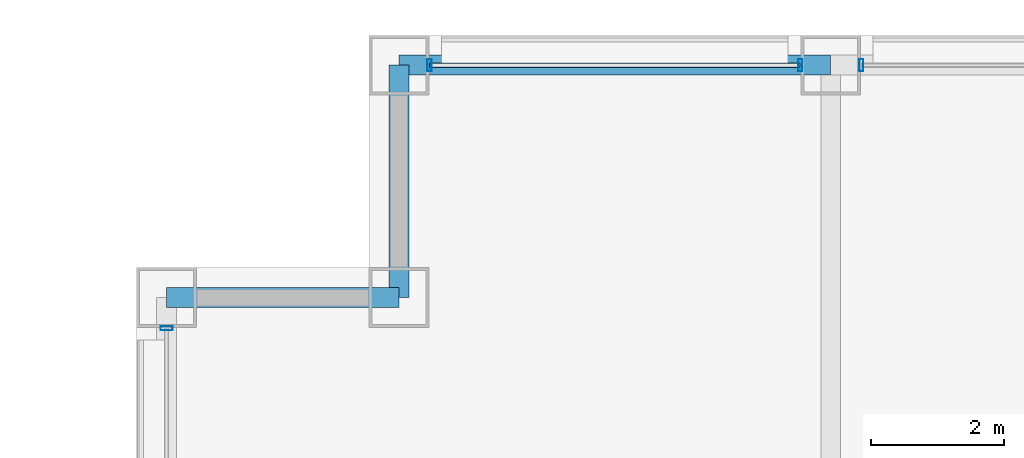
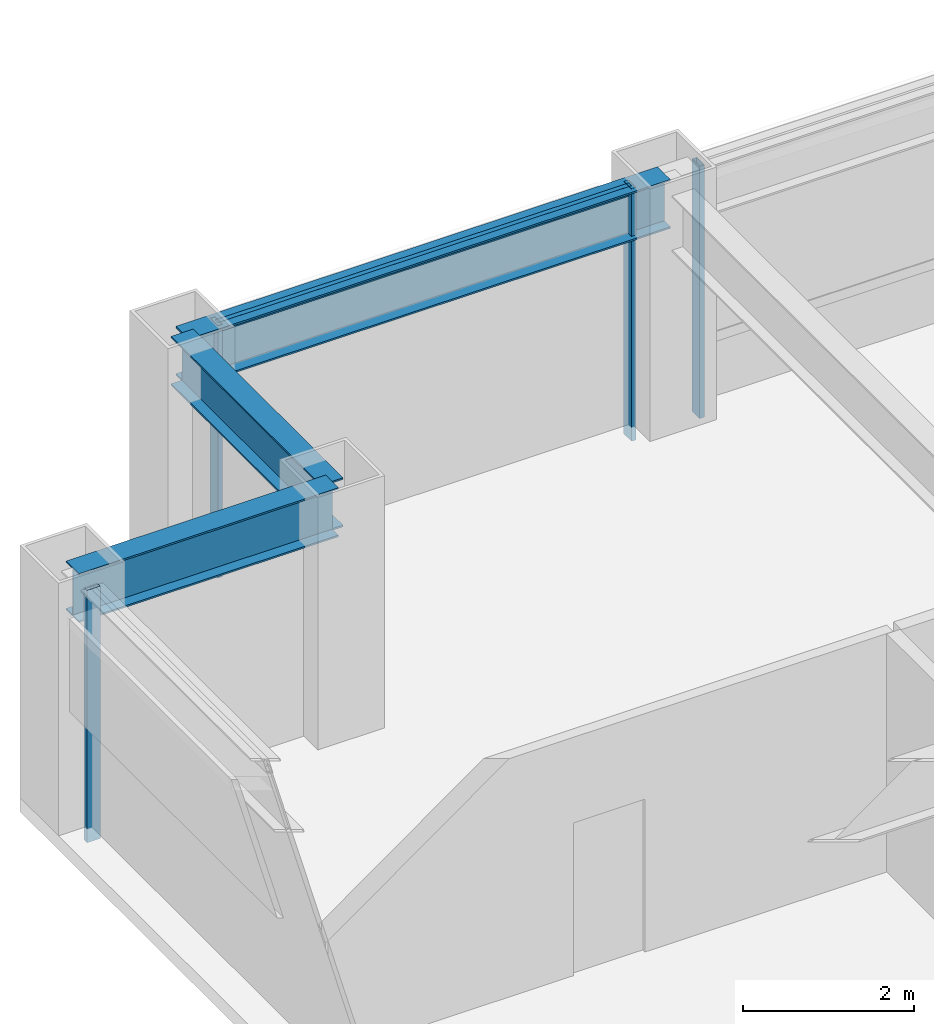
# One storey, part 15 of 29: 5 members, 3 beams, 3 elements without a shape of their own.
"""IFC4 building model written with IfcOpenShell, lengths in metres."""

from ifc_helpers import new_model, si_unit, direction, frame, origin, origin_2d, place, context, subcontext, project, spatial, hollow_rectangle, i_section, extrude, material, layer, layer_set, material_profile, profile_set, type_object, element, aggregate, save


model = new_model("IFC4")

# Units and contexts
model_context = context("Model", 3, precision=1e-05, world=origin(), true_north=direction((0.0, 1.0)))
body_context = subcontext(model_context, "Body", "Model", "MODEL_VIEW")
ifc_project = project(units=[si_unit("LENGTHUNIT", "METRE"), si_unit("AREAUNIT", "SQUARE_METRE"), si_unit("VOLUMEUNIT", "CUBIC_METRE"), si_unit("PLANEANGLEUNIT", "RADIAN"), si_unit("MASSUNIT", "GRAM", prefix="KILO")], contexts=[model_context])

# Site, building, storey
site_placement = place(None, origin())
site = spatial("IfcSite", under=ifc_project, at=site_placement, CompositionType="ELEMENT")
building_placement = place(site_placement, origin())
building = spatial("IfcBuilding", under=site, at=building_placement, Name="Brelmoor Portico Tower", CompositionType="ELEMENT")
storey_placement = place(building_placement, frame((0.0, 0.0, 63.60009765625)))
storey = spatial("IfcBuildingStorey", under=building, at=storey_placement, Name="L16", CompositionType="ELEMENT", Elevation=63.60009765625)

# Beams
ifc_material_1 = material(Name="Steel Q355B", Category="steel")
ifc_material_profile_1 = material_profile(ifc_material_1, i_section(OverallWidth=0.300048828125, OverallDepth=0.699951171875, WebThickness=0.012939453125, FlangeThickness=0.02392578125, at=origin_2d()), Name="HN 700x300x13x24")
ifc_profile_set_1 = profile_set([ifc_material_profile_1], Name="Steel Q355B")
beam_type = type_object("IfcBeamType", Name="BM-SP-700", PredefinedType="SPANDREL", material=ifc_profile_set_1)
beam_1_placement = place(storey_placement, frame((-24.550048828125, 18.050048828125, 3.0498046875), z_axis=(1.0, 0.0, 0.0), x_axis=(0.0, 1.0, 0.0)))
element("IfcBeam", 1, at=beam_1_placement, inside=storey, type_object=beam_type, Name="L16 Perimeter Spandrel Beam SP-08", PredefinedType="SPANDREL", context=body_context, shape_type="SweptSolid", body=[
    extrude(i_section(OverallWidth=0.300048828125, OverallDepth=0.699951171875, WebThickness=0.012939453125, FlangeThickness=0.02392578125, at=origin_2d()), origin(), (0.0, 0.0, 1.0), 3.5),
])
beam_2_placement = place(storey_placement, frame((-21.050048828125, 21.550048828125, 3.0498046875), z_axis=(1.0, 0.0, 0.0), x_axis=(0.0, 1.0, 0.0)))
element("IfcBeam", 2, at=beam_2_placement, inside=storey, type_object=beam_type, Name="L16 Perimeter Spandrel Beam SP-10", PredefinedType="SPANDREL", context=body_context, shape_type="SweptSolid", body=[
    extrude(i_section(OverallWidth=0.300048828125, OverallDepth=0.699951171875, WebThickness=0.012939453125, FlangeThickness=0.02392578125, at=origin_2d()), origin(), (0.0, 0.0, 1.0), 6.5),
])
beam_3_placement = place(storey_placement, frame((-21.050048828125, 18.050048828125, 3.0498046875), z_axis=(0.0, 1.0, 0.0), x_axis=(-1.0, 0.0, 0.0)))
element("IfcBeam", 3, at=beam_3_placement, inside=storey, type_object=beam_type, Name="L16 Perimeter Spandrel Beam SP-19", PredefinedType="SPANDREL", context=body_context, shape_type="SweptSolid", body=[
    extrude(i_section(OverallWidth=0.300048828125, OverallDepth=0.699951171875, WebThickness=0.012939453125, FlangeThickness=0.02392578125, at=origin_2d()), origin(), (0.0, 0.0, 1.0), 3.5),
])

# Curtain wall, members
ifc_material_2 = material(Name="Anodised Aluminium Alloy 6063-T6", Category="aluminium")
ifc_layer_1 = layer(ifc_material_2, 0.179931640625)
ifc_layer_set_1 = layer_set([ifc_layer_1], Name="Anodised Aluminium Alloy 6063-T6")
curtain_wall_type_1 = type_object("IfcCurtainWallType", Name="CW-TOWER-Z1-XB", PredefinedType="NOTDEFINED", material=ifc_layer_set_1)
curtain_wall_1_placement = place(storey_placement, origin())
curtain_wall_1 = element("IfcCurtainWall", 4, at=curtain_wall_1_placement, inside=storey, type_object=curtain_wall_type_1, Name="L16 Curtain Wall CW-L16-02-1", PredefinedType="NOTDEFINED")
ifc_material_profile_2 = material_profile(ifc_material_2, hollow_rectangle(XDim=0.06494140625, YDim=0.179931640625, WallThickness=0.00390625, at=origin_2d()), Name="ALU MULLION 65x180")
ifc_profile_set_2 = profile_set([ifc_material_profile_2], Name="Anodised Aluminium Alloy 6063-T6")
member_type_1 = type_object("IfcMemberType", Name="MB-CW-MULL-180", PredefinedType="MULLION", material=ifc_profile_set_2)
member_1_placement = place(storey_placement, frame((-20.590087890625, 21.550048828125, -0.2001953125), z_axis=(0.0, 0.0, 1.0), x_axis=(1.0, 0.0, 0.0)))
member_1 = element("IfcMember", 5, at=member_1_placement, type_object=member_type_1, Name="CW-L16-02-1 Mullion 00", PredefinedType="MULLION", context=body_context, shape_type="SweptSolid", body=[
    extrude(hollow_rectangle(XDim=0.06494140625, YDim=0.179931640625, WallThickness=0.00390625, at=origin_2d()), origin(), (0.0, 0.0, 1.0), 3.60009765625),
])
member_2_placement = place(storey_placement, frame((-15.010009765625, 21.550048828125, -0.2001953125), z_axis=(0.0, 0.0, 1.0), x_axis=(1.0, 0.0, 0.0)))
member_2 = element("IfcMember", 6, at=member_2_placement, type_object=member_type_1, Name="CW-L16-02-1 Mullion 01", PredefinedType="MULLION", context=body_context, shape_type="SweptSolid", body=[
    extrude(hollow_rectangle(XDim=0.06494140625, YDim=0.179931640625, WallThickness=0.00390625, at=origin_2d()), origin(), (0.0, 0.0, 1.0), 3.60009765625),
])

# Curtain wall, member
ifc_layer_2 = layer(ifc_material_2, 0.179931640625)
ifc_layer_set_2 = layer_set([ifc_layer_2], Name="Anodised Aluminium Alloy 6063-T6")
curtain_wall_type_2 = type_object("IfcCurtainWallType", Name="CW-TOWER-Z1", PredefinedType="NOTDEFINED", material=ifc_layer_set_2)
curtain_wall_2_placement = place(storey_placement, origin())
curtain_wall_2 = element("IfcCurtainWall", 7, at=curtain_wall_2_placement, inside=storey, type_object=curtain_wall_type_2, Name="L16 Curtain Wall CW-L16-02-2", PredefinedType="NOTDEFINED")
member_3_placement = place(storey_placement, frame((-14.090087890625, 21.550048828125, -0.2001953125), z_axis=(0.0, 0.0, 1.0), x_axis=(1.0, 0.0, 0.0)))
member_3 = element("IfcMember", 8, at=member_3_placement, type_object=member_type_1, Name="CW-L16-02-2 Mullion 00", PredefinedType="MULLION", context=body_context, shape_type="SweptSolid", body=[
    extrude(hollow_rectangle(XDim=0.06494140625, YDim=0.179931640625, WallThickness=0.00390625, at=origin_2d()), origin(), (0.0, 0.0, 1.0), 3.60009765625),
])
aggregate(curtain_wall_2, [member_3])

curtain_wall_3_placement = place(storey_placement, origin())
curtain_wall_3 = element("IfcCurtainWall", 9, at=curtain_wall_3_placement, inside=storey, type_object=curtain_wall_type_1, Name="L16 Curtain Wall CW-L16-3R-2", PredefinedType="NOTDEFINED")
member_4_placement = place(storey_placement, frame((-24.550048828125, 17.590087890625, -0.2001953125), z_axis=(0.0, 0.0, 1.0), x_axis=(0.0, 1.0, 0.0)))
member_4 = element("IfcMember", 10, at=member_4_placement, type_object=member_type_1, Name="CW-L16-3R-2 Mullion 01", PredefinedType="MULLION", context=body_context, shape_type="SweptSolid", body=[
    extrude(hollow_rectangle(XDim=0.06494140625, YDim=0.179931640625, WallThickness=0.00390625, at=origin_2d()), origin(), (0.0, 0.0, 1.0), 3.60009765625),
])
aggregate(curtain_wall_3, [member_4])

# Member
ifc_material_profile_3 = material_profile(ifc_material_2, hollow_rectangle(XDim=0.06494140625, YDim=0.139892578125, WallThickness=0.00390625, at=origin_2d()), Name="ALU TRANSOM 65x140")
ifc_profile_set_3 = profile_set([ifc_material_profile_3], Name="Anodised Aluminium Alloy 6063-T6")
member_type_2 = type_object("IfcMemberType", Name="MB-CW-TRAN-140", PredefinedType="USERDEFINED", material=ifc_profile_set_3)
member_5_placement = place(storey_placement, frame((-20.590087890625, 21.550048828125, 3.329833984375), z_axis=(1.0, 0.0, 0.0), x_axis=(0.0, 1.0, 0.0)))
member_5 = element("IfcMember", 11, at=member_5_placement, type_object=member_type_2, Name="CW-L16-02-1 Transom 1-00", ObjectType="TRANSOM", PredefinedType="USERDEFINED", context=body_context, shape_type="SweptSolid", body=[
    extrude(hollow_rectangle(XDim=0.06494140625, YDim=0.139892578125, WallThickness=0.00390625, at=origin_2d()), origin(), (0.0, 0.0, 1.0), 5.580078125),
])

aggregate(curtain_wall_1, [member_1, member_2, member_5])

save(model, "model.ifc")
